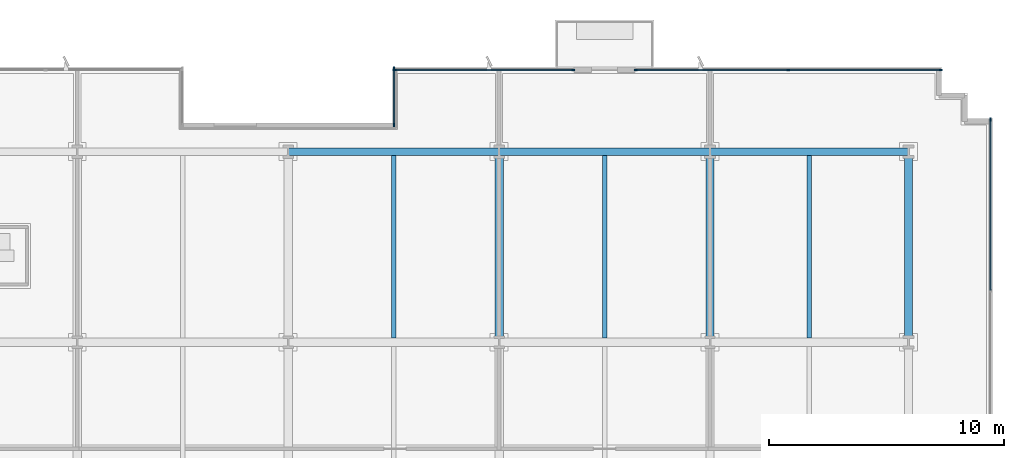
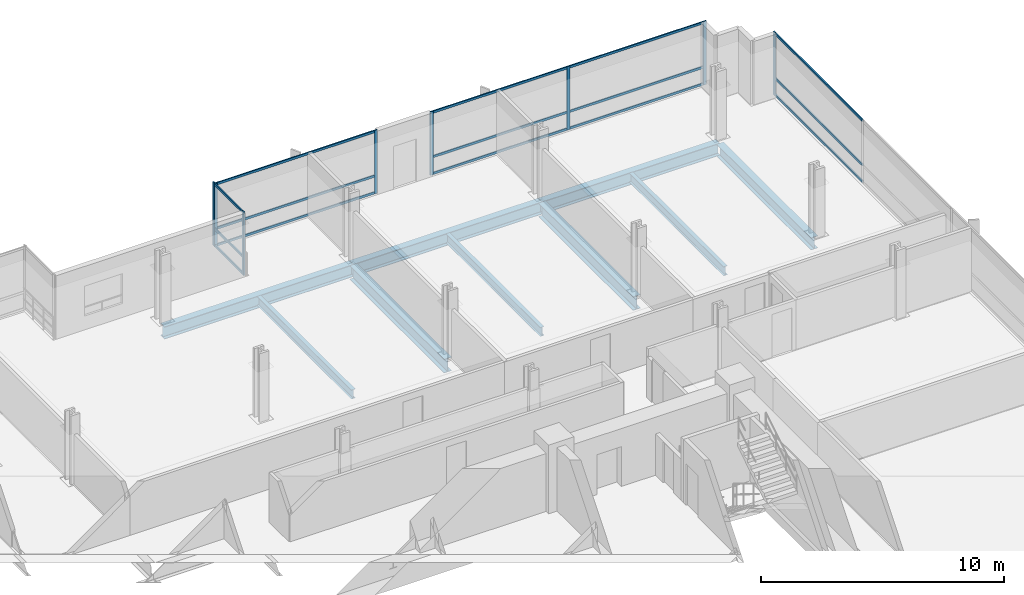
# One storey, part 10 of 20: 23 members, 9 beams, 4 elements without a shape of their own.
"""IFC4 building model written with IfcOpenShell, lengths in metres."""

from ifc_helpers import new_model, si_unit, direction, frame, origin, origin_2d, place, context, subcontext, project, spatial, rectangle, i_section, extrude, material, material_profile, profile_set, type_object, element, aggregate, save


model = new_model("IFC4")

# Units and contexts
model_context = context("Model", 3, precision=1e-05, world=origin(), true_north=direction((0.0, 1.0)))
body_context = subcontext(model_context, "Body", "Model", "MODEL_VIEW")
ifc_project = project(units=[si_unit("LENGTHUNIT", "METRE"), si_unit("AREAUNIT", "SQUARE_METRE"), si_unit("VOLUMEUNIT", "CUBIC_METRE"), si_unit("PLANEANGLEUNIT", "RADIAN"), si_unit("MASSUNIT", "GRAM", prefix="KILO")], contexts=[model_context])

# Site, building, storey
site_placement = place(None, origin())
site = spatial("IfcSite", under=ifc_project, at=site_placement, CompositionType="ELEMENT")
building_placement = place(site_placement, origin())
building = spatial("IfcBuilding", under=site, at=building_placement, Name="Solmavex Isthmus Hotel", CompositionType="ELEMENT")
storey_placement = place(building_placement, frame((0.0, 0.0, 57.449951171875)))
storey = spatial("IfcBuildingStorey", under=building, at=storey_placement, Name="L15", CompositionType="ELEMENT", Elevation=57.449951171875)

# Beams
ifc_material_1 = material(Name="Steel ASTM A992 Grade 50", Category="steel")
ifc_material_profile_1 = material_profile(ifc_material_1, i_section(OverallWidth=0.354736328125, OverallDepth=0.695556640625, WebThickness=0.015380859375, FlangeThickness=0.02490234375, FilletRadius=0.017822265625, at=origin_2d()), Name="W27X146")
ifc_profile_set_1 = profile_set([ifc_material_profile_1], Name="Steel ASTM A992 Grade 50")
beam_type_1 = type_object("IfcBeamType", Name="BM-BG-W27X146", PredefinedType="BEAM", material=ifc_profile_set_1)
for number, where, z_axis, x_axis, name in (
    (1, (8.97607421875, 8.96533203125, -0.607666015625), (0.0, 1.0, 0.0), (-1.0, 0.0, 0.0), "Floor Beam L15-VG42"),
    (2, (17.951904296875, 8.96533203125, -0.607666015625), (0.0, 1.0, 0.0), (-1.0, 0.0, 0.0), "Floor Beam L15-VG45"),
):
    element("IfcBeam", number, at=place(storey_placement, frame(where, z_axis=z_axis, x_axis=x_axis)), inside=storey, type_object=beam_type_1, Name=name, PredefinedType="BEAM", context=body_context, shape_type="SweptSolid", body=[
        extrude(i_section(OverallWidth=0.354736328125, OverallDepth=0.695556640625, WebThickness=0.015380859375, FlangeThickness=0.02490234375, FilletRadius=0.017822265625, at=origin_2d()), origin(), (0.0, 0.0, 1.0), 7.771484375),
    ])
ifc_material_profile_2 = material_profile(ifc_material_1, i_section(OverallWidth=0.1904296875, OverallDepth=0.456787109375, WebThickness=0.009033203125, FlangeThickness=0.014404296875, FilletRadius=0.0126953125, at=origin_2d()), Name="W18X50")
ifc_profile_set_2 = profile_set([ifc_material_profile_2], Name="Steel ASTM A992 Grade 50")
beam_type_2 = type_object("IfcBeamType", Name="BM-BJ-W18X50", PredefinedType="JOIST", material=ifc_profile_set_2)
for number, where, z_axis, x_axis, name in (
    (3, (4.488037109375, 8.96533203125, -0.48828125), (0.0, 1.0, 0.0), (-1.0, 0.0, 0.0), "Secondary Floor Joist L15-J15"),
    (4, (13.464111328125, 8.96533203125, -0.48828125), (0.0, 1.0, 0.0), (-1.0, 0.0, 0.0), "Secondary Floor Joist L15-J19"),
    (5, (22.176025390625, 8.96533203125, -0.48828125), (0.0, 1.0, 0.0), (-1.0, 0.0, 0.0), "Secondary Floor Joist L15-J22"),
):
    element("IfcBeam", number, at=place(storey_placement, frame(where, z_axis=z_axis, x_axis=x_axis)), inside=storey, type_object=beam_type_2, Name=name, PredefinedType="JOIST", context=body_context, shape_type="SweptSolid", body=[
        extrude(i_section(OverallWidth=0.1904296875, OverallDepth=0.456787109375, WebThickness=0.009033203125, FlangeThickness=0.014404296875, FilletRadius=0.0126953125, at=origin_2d()), origin(), (0.0, 0.0, 1.0), 7.771484375),
    ])
ifc_material_profile_3 = material_profile(ifc_material_1, i_section(OverallWidth=0.326416015625, OverallDepth=0.621826171875, WebThickness=0.015380859375, FlangeThickness=0.0244140625, FilletRadius=0.01513671875, at=origin_2d()), Name="W24X131")
ifc_profile_set_3 = profile_set([ifc_material_profile_3], Name="Steel ASTM A992 Grade 50")
beam_type_3 = type_object("IfcBeamType", Name="BM-SP-W24X131", PredefinedType="SPANDREL", material=ifc_profile_set_3)
beam_1_placement = place(storey_placement, frame((0.0, 16.89990234375, -0.57080078125), z_axis=(1.0, 0.0, 0.0), x_axis=(0.0, 1.0, 0.0)))
element("IfcBeam", 6, at=beam_1_placement, inside=storey, type_object=beam_type_3, Name="Floor Girder L15-UG22", PredefinedType="SPANDREL", context=body_context, shape_type="SweptSolid", body=[
    extrude(i_section(OverallWidth=0.326416015625, OverallDepth=0.621826171875, WebThickness=0.015380859375, FlangeThickness=0.0244140625, FilletRadius=0.01513671875, at=origin_2d()), origin(), (0.0, 0.0, 1.0), 8.97607421875),
])
beam_2_placement = place(storey_placement, frame((8.97607421875, 16.89990234375, -0.57080078125), z_axis=(1.0, 0.0, 0.0), x_axis=(0.0, 1.0, 0.0)))
element("IfcBeam", 7, at=beam_2_placement, inside=storey, type_object=beam_type_3, Name="Floor Girder L15-UG23", PredefinedType="SPANDREL", context=body_context, shape_type="SweptSolid", body=[
    extrude(i_section(OverallWidth=0.326416015625, OverallDepth=0.621826171875, WebThickness=0.015380859375, FlangeThickness=0.0244140625, FilletRadius=0.01513671875, at=origin_2d()), origin(), (0.0, 0.0, 1.0), 8.975830078125),
])
beam_3_placement = place(storey_placement, frame((17.951904296875, 16.89990234375, -0.57080078125), z_axis=(1.0, 0.0, 0.0), x_axis=(0.0, 1.0, 0.0)))
element("IfcBeam", 8, at=beam_3_placement, inside=storey, type_object=beam_type_3, Name="Floor Girder L15-UG24", PredefinedType="SPANDREL", context=body_context, shape_type="SweptSolid", body=[
    extrude(i_section(OverallWidth=0.326416015625, OverallDepth=0.621826171875, WebThickness=0.015380859375, FlangeThickness=0.0244140625, FilletRadius=0.01513671875, at=origin_2d()), origin(), (0.0, 0.0, 1.0), 8.447998046875),
])
beam_4_placement = place(storey_placement, frame((26.39990234375, 8.96533203125, -0.57080078125), z_axis=(0.0, 1.0, 0.0), x_axis=(-1.0, 0.0, 0.0)))
element("IfcBeam", 9, at=beam_4_placement, inside=storey, type_object=beam_type_3, Name="Floor Beam L15-VG48", PredefinedType="SPANDREL", context=body_context, shape_type="SweptSolid", body=[
    extrude(i_section(OverallWidth=0.326416015625, OverallDepth=0.621826171875, WebThickness=0.015380859375, FlangeThickness=0.0244140625, FilletRadius=0.01513671875, at=origin_2d()), origin(), (0.0, 0.0, 1.0), 7.771484375),
])

# Curtain wall, members
ifc_material_2 = material(Name="Aluminium alloy 6063-T6", Category="aluminium")
curtain_wall_type = type_object("IfcCurtainWallType", Name="CW-SYS-06", PredefinedType="NOTDEFINED", material=ifc_material_2)
curtain_wall_1_placement = place(storey_placement, origin())
curtain_wall_1 = element("IfcCurtainWall", 10, at=curtain_wall_1_placement, inside=storey, type_object=curtain_wall_type, Name="Stick Curtain Wall CWL-L15-SGE", PredefinedType="NOTDEFINED")
ifc_material_profile_4 = material_profile(ifc_material_2, rectangle(XDim=0.06005859375, YDim=0.139892578125, at=origin_2d()), Name="CWM-60X140")
ifc_profile_set_4 = profile_set([ifc_material_profile_4], Name="Aluminium alloy 6063-T6")
member_type_1 = type_object("IfcMemberType", Name="CW-SYS-06-MUL", PredefinedType="MULLION", material=ifc_profile_set_4)
member_1_placement = place(storey_placement, frame((4.5, 18.030029296875, 0.0), z_axis=(0.0, 0.0, 1.0), x_axis=(-1.0, 0.0, 0.0)))
member_1 = element("IfcMember", 11, at=member_1_placement, type_object=member_type_1, Name="CW-06 mullion 1", PredefinedType="MULLION", context=body_context, shape_type="SweptSolid", body=[
    extrude(rectangle(XDim=0.06005859375, YDim=0.139892578125, at=origin_2d()), origin(), (0.0, 0.0, 1.0), 3.18994140625),
])
member_2_placement = place(storey_placement, frame((4.5, 20.449951171875, 0.0), z_axis=(0.0, 0.0, 1.0), x_axis=(-1.0, 0.0, 0.0)))
member_2 = element("IfcMember", 12, at=member_2_placement, type_object=member_type_1, Name="CW-06 mullion 2", PredefinedType="MULLION", context=body_context, shape_type="SweptSolid", body=[
    extrude(rectangle(XDim=0.06005859375, YDim=0.139892578125, at=origin_2d()), origin(), (0.0, 0.0, 1.0), 3.18994140625),
])

curtain_wall_2_placement = place(storey_placement, origin())
curtain_wall_2 = element("IfcCurtainWall", 13, at=curtain_wall_2_placement, inside=storey, type_object=curtain_wall_type, Name="Stick Curtain Wall CWL-L15-N2", PredefinedType="NOTDEFINED")
member_3_placement = place(storey_placement, frame((4.530029296875, 20.3798828125, 0.0), z_axis=(0.0, 0.0, 1.0), x_axis=(0.0, 1.0, 0.0)))
member_3 = element("IfcMember", 14, at=member_3_placement, type_object=member_type_1, Name="CW-06 mullion 1", PredefinedType="MULLION", context=body_context, shape_type="SweptSolid", body=[
    extrude(rectangle(XDim=0.06005859375, YDim=0.139892578125, at=origin_2d()), origin(), (0.0, 0.0, 1.0), 3.18994140625),
])
member_4_placement = place(storey_placement, frame((12.134033203125, 20.3798828125, 0.0), z_axis=(0.0, 0.0, 1.0), x_axis=(0.0, 1.0, 0.0)))
member_4 = element("IfcMember", 15, at=member_4_placement, type_object=member_type_1, Name="CW-06 mullion 2", PredefinedType="MULLION", context=body_context, shape_type="SweptSolid", body=[
    extrude(rectangle(XDim=0.06005859375, YDim=0.139892578125, at=origin_2d()), origin(), (0.0, 0.0, 1.0), 3.18994140625),
])

curtain_wall_3_placement = place(storey_placement, origin())
curtain_wall_3 = element("IfcCurtainWall", 16, at=curtain_wall_3_placement, inside=storey, type_object=curtain_wall_type, Name="Stick Curtain Wall CWL-L15-N3", PredefinedType="NOTDEFINED")
member_5_placement = place(storey_placement, frame((14.7939453125, 20.3798828125, 0.0), z_axis=(0.0, 0.0, 1.0), x_axis=(0.0, 1.0, 0.0)))
member_5 = element("IfcMember", 17, at=member_5_placement, type_object=member_type_1, Name="CW-06 mullion 1", PredefinedType="MULLION", context=body_context, shape_type="SweptSolid", body=[
    extrude(rectangle(XDim=0.06005859375, YDim=0.139892578125, at=origin_2d()), origin(), (0.0, 0.0, 1.0), 3.18994140625),
])
member_6_placement = place(storey_placement, frame((21.281982421875, 20.3798828125, 0.0), z_axis=(0.0, 0.0, 1.0), x_axis=(0.0, 1.0, 0.0)))
member_6 = element("IfcMember", 18, at=member_6_placement, type_object=member_type_1, Name="CW-06 mullion 2", PredefinedType="MULLION", context=body_context, shape_type="SweptSolid", body=[
    extrude(rectangle(XDim=0.06005859375, YDim=0.139892578125, at=origin_2d()), origin(), (0.0, 0.0, 1.0), 3.18994140625),
])
member_7_placement = place(storey_placement, frame((27.77001953125, 20.3798828125, 0.0), z_axis=(0.0, 0.0, 1.0), x_axis=(0.0, 1.0, 0.0)))
member_7 = element("IfcMember", 19, at=member_7_placement, type_object=member_type_1, Name="CW-06 mullion 3", PredefinedType="MULLION", context=body_context, shape_type="SweptSolid", body=[
    extrude(rectangle(XDim=0.06005859375, YDim=0.139892578125, at=origin_2d()), origin(), (0.0, 0.0, 1.0), 3.18994140625),
])

# Curtain wall, member
curtain_wall_4_placement = place(storey_placement, origin())
curtain_wall_4 = element("IfcCurtainWall", 20, at=curtain_wall_4_placement, inside=storey, type_object=curtain_wall_type, Name="Stick Curtain Wall CWL-L15-E1", PredefinedType="NOTDEFINED")
member_8_placement = place(storey_placement, frame((29.8798828125, 18.27001953125, 0.0), z_axis=(0.0, 0.0, 1.0), x_axis=(-1.0, 0.0, 0.0)))
member_8 = element("IfcMember", 21, at=member_8_placement, type_object=member_type_1, Name="CW-06 mullion 6", PredefinedType="MULLION", context=body_context, shape_type="SweptSolid", body=[
    extrude(rectangle(XDim=0.06005859375, YDim=0.139892578125, at=origin_2d()), origin(), (0.0, 0.0, 1.0), 3.18994140625),
])

# Member
ifc_material_profile_5 = material_profile(ifc_material_2, rectangle(XDim=0.06005859375, YDim=0.114990234375, at=origin_2d()), Name="CWT-60X115")
ifc_profile_set_5 = profile_set([ifc_material_profile_5], Name="Aluminium alloy 6063-T6")
member_type_2 = type_object("IfcMemberType", Name="CW-SYS-06-TRN", PredefinedType="USERDEFINED", material=ifc_profile_set_5)
member_9_placement = place(storey_placement, frame((4.5, 18.06005859375, 0.0576171875), z_axis=(0.0, 1.0, 0.0), x_axis=(-1.0, 0.0, 0.0)))
member_9 = element("IfcMember", 22, at=member_9_placement, type_object=member_type_2, Name="CW-06 transom 1.1", ObjectType="TRANSOM", PredefinedType="USERDEFINED", context=body_context, shape_type="SweptSolid", body=[
    extrude(rectangle(XDim=0.06005859375, YDim=0.114990234375, at=origin_2d()), origin(), (0.0, 0.0, 1.0), 2.35986328125),
])

member_10_placement = place(storey_placement, frame((4.5, 18.06005859375, 0.900146484375), z_axis=(0.0, 1.0, 0.0), x_axis=(-1.0, 0.0, 0.0)))
member_10 = element("IfcMember", 23, at=member_10_placement, type_object=member_type_2, Name="CW-06 transom 1.2", ObjectType="TRANSOM", PredefinedType="USERDEFINED", context=body_context, shape_type="SweptSolid", body=[
    extrude(rectangle(XDim=0.06005859375, YDim=0.114990234375, at=origin_2d()), origin(), (0.0, 0.0, 1.0), 2.35986328125),
])

member_11_placement = place(storey_placement, frame((4.5, 18.06005859375, 3.132568359375), z_axis=(0.0, 1.0, 0.0), x_axis=(-1.0, 0.0, 0.0)))
member_11 = element("IfcMember", 24, at=member_11_placement, type_object=member_type_2, Name="CW-06 transom 1.3", ObjectType="TRANSOM", PredefinedType="USERDEFINED", context=body_context, shape_type="SweptSolid", body=[
    extrude(rectangle(XDim=0.06005859375, YDim=0.114990234375, at=origin_2d()), origin(), (0.0, 0.0, 1.0), 2.35986328125),
])

aggregate(curtain_wall_1, [member_1, member_2, member_9, member_10, member_11])

member_12_placement = place(storey_placement, frame((4.56005859375, 20.3798828125, 0.0576171875), z_axis=(1.0, 0.0, 0.0), x_axis=(0.0, 1.0, 0.0)))
member_12 = element("IfcMember", 25, at=member_12_placement, type_object=member_type_2, Name="CW-06 transom 1.1", ObjectType="TRANSOM", PredefinedType="USERDEFINED", context=body_context, shape_type="SweptSolid", body=[
    extrude(rectangle(XDim=0.06005859375, YDim=0.114990234375, at=origin_2d()), origin(), (0.0, 0.0, 1.0), 7.5439453125),
])

member_13_placement = place(storey_placement, frame((4.56005859375, 20.3798828125, 0.900146484375), z_axis=(1.0, 0.0, 0.0), x_axis=(0.0, 1.0, 0.0)))
member_13 = element("IfcMember", 26, at=member_13_placement, type_object=member_type_2, Name="CW-06 transom 1.2", ObjectType="TRANSOM", PredefinedType="USERDEFINED", context=body_context, shape_type="SweptSolid", body=[
    extrude(rectangle(XDim=0.06005859375, YDim=0.114990234375, at=origin_2d()), origin(), (0.0, 0.0, 1.0), 7.5439453125),
])

member_14_placement = place(storey_placement, frame((4.56005859375, 20.3798828125, 3.132568359375), z_axis=(1.0, 0.0, 0.0), x_axis=(0.0, 1.0, 0.0)))
member_14 = element("IfcMember", 27, at=member_14_placement, type_object=member_type_2, Name="CW-06 transom 1.3", ObjectType="TRANSOM", PredefinedType="USERDEFINED", context=body_context, shape_type="SweptSolid", body=[
    extrude(rectangle(XDim=0.06005859375, YDim=0.114990234375, at=origin_2d()), origin(), (0.0, 0.0, 1.0), 7.5439453125),
])

aggregate(curtain_wall_2, [member_3, member_4, member_12, member_13, member_14])

member_15_placement = place(storey_placement, frame((14.823974609375, 20.3798828125, 0.0576171875), z_axis=(1.0, 0.0, 0.0), x_axis=(0.0, 1.0, 0.0)))
member_15 = element("IfcMember", 28, at=member_15_placement, type_object=member_type_2, Name="CW-06 transom 1.1", ObjectType="TRANSOM", PredefinedType="USERDEFINED", context=body_context, shape_type="SweptSolid", body=[
    extrude(rectangle(XDim=0.06005859375, YDim=0.114990234375, at=origin_2d()), origin(), (0.0, 0.0, 1.0), 6.427978515625),
])

member_16_placement = place(storey_placement, frame((14.823974609375, 20.3798828125, 0.900146484375), z_axis=(1.0, 0.0, 0.0), x_axis=(0.0, 1.0, 0.0)))
member_16 = element("IfcMember", 29, at=member_16_placement, type_object=member_type_2, Name="CW-06 transom 1.2", ObjectType="TRANSOM", PredefinedType="USERDEFINED", context=body_context, shape_type="SweptSolid", body=[
    extrude(rectangle(XDim=0.06005859375, YDim=0.114990234375, at=origin_2d()), origin(), (0.0, 0.0, 1.0), 6.427978515625),
])

member_17_placement = place(storey_placement, frame((14.823974609375, 20.3798828125, 3.132568359375), z_axis=(1.0, 0.0, 0.0), x_axis=(0.0, 1.0, 0.0)))
member_17 = element("IfcMember", 30, at=member_17_placement, type_object=member_type_2, Name="CW-06 transom 1.3", ObjectType="TRANSOM", PredefinedType="USERDEFINED", context=body_context, shape_type="SweptSolid", body=[
    extrude(rectangle(XDim=0.06005859375, YDim=0.114990234375, at=origin_2d()), origin(), (0.0, 0.0, 1.0), 6.427978515625),
])

member_18_placement = place(storey_placement, frame((21.31201171875, 20.3798828125, 0.0576171875), z_axis=(1.0, 0.0, 0.0), x_axis=(0.0, 1.0, 0.0)))
member_18 = element("IfcMember", 31, at=member_18_placement, type_object=member_type_2, Name="CW-06 transom 2.1", ObjectType="TRANSOM", PredefinedType="USERDEFINED", context=body_context, shape_type="SweptSolid", body=[
    extrude(rectangle(XDim=0.06005859375, YDim=0.114990234375, at=origin_2d()), origin(), (0.0, 0.0, 1.0), 6.427978515625),
])

member_19_placement = place(storey_placement, frame((21.31201171875, 20.3798828125, 0.900146484375), z_axis=(1.0, 0.0, 0.0), x_axis=(0.0, 1.0, 0.0)))
member_19 = element("IfcMember", 32, at=member_19_placement, type_object=member_type_2, Name="CW-06 transom 2.2", ObjectType="TRANSOM", PredefinedType="USERDEFINED", context=body_context, shape_type="SweptSolid", body=[
    extrude(rectangle(XDim=0.06005859375, YDim=0.114990234375, at=origin_2d()), origin(), (0.0, 0.0, 1.0), 6.427978515625),
])

member_20_placement = place(storey_placement, frame((21.31201171875, 20.3798828125, 3.132568359375), z_axis=(1.0, 0.0, 0.0), x_axis=(0.0, 1.0, 0.0)))
member_20 = element("IfcMember", 33, at=member_20_placement, type_object=member_type_2, Name="CW-06 transom 2.3", ObjectType="TRANSOM", PredefinedType="USERDEFINED", context=body_context, shape_type="SweptSolid", body=[
    extrude(rectangle(XDim=0.06005859375, YDim=0.114990234375, at=origin_2d()), origin(), (0.0, 0.0, 1.0), 6.427978515625),
])

aggregate(curtain_wall_3, [member_5, member_6, member_7, member_15, member_16, member_17, member_18, member_19, member_20])

member_21_placement = place(storey_placement, frame((29.8798828125, 11.010009765625, 0.0576171875), z_axis=(0.0, 1.0, 0.0), x_axis=(-1.0, 0.0, 0.0)))
member_21 = element("IfcMember", 34, at=member_21_placement, type_object=member_type_2, Name="CW-06 transom 5.1", ObjectType="TRANSOM", PredefinedType="USERDEFINED", context=body_context, shape_type="SweptSolid", body=[
    extrude(rectangle(XDim=0.06005859375, YDim=0.114990234375, at=origin_2d()), origin(), (0.0, 0.0, 1.0), 7.22998046875),
])

member_22_placement = place(storey_placement, frame((29.8798828125, 11.010009765625, 0.900146484375), z_axis=(0.0, 1.0, 0.0), x_axis=(-1.0, 0.0, 0.0)))
member_22 = element("IfcMember", 35, at=member_22_placement, type_object=member_type_2, Name="CW-06 transom 5.2", ObjectType="TRANSOM", PredefinedType="USERDEFINED", context=body_context, shape_type="SweptSolid", body=[
    extrude(rectangle(XDim=0.06005859375, YDim=0.114990234375, at=origin_2d()), origin(), (0.0, 0.0, 1.0), 7.22998046875),
])

member_23_placement = place(storey_placement, frame((29.8798828125, 11.010009765625, 3.132568359375), z_axis=(0.0, 1.0, 0.0), x_axis=(-1.0, 0.0, 0.0)))
member_23 = element("IfcMember", 36, at=member_23_placement, type_object=member_type_2, Name="CW-06 transom 5.3", ObjectType="TRANSOM", PredefinedType="USERDEFINED", context=body_context, shape_type="SweptSolid", body=[
    extrude(rectangle(XDim=0.06005859375, YDim=0.114990234375, at=origin_2d()), origin(), (0.0, 0.0, 1.0), 7.22998046875),
])

aggregate(curtain_wall_4, [member_8, member_21, member_22, member_23])

save(model, "model.ifc")
